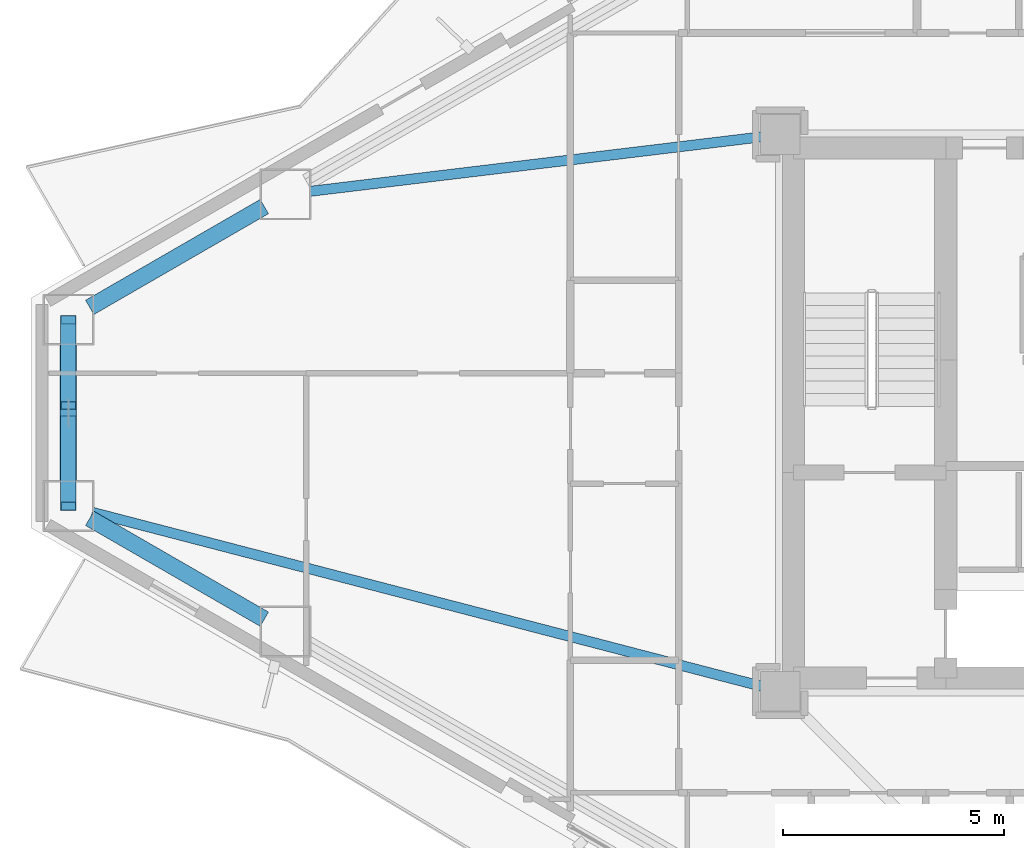
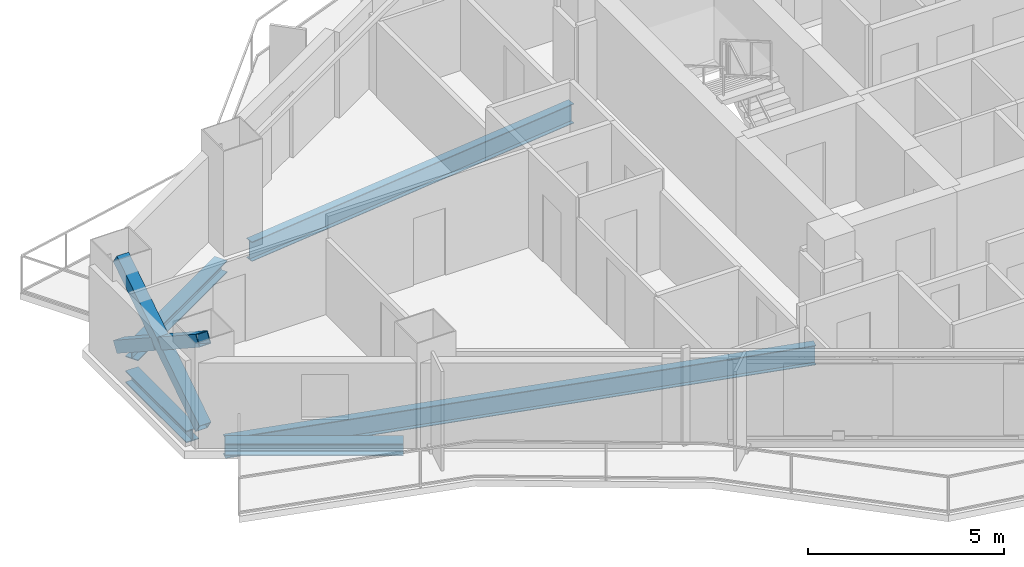
# One storey, part 5 of 23: 5 beams, 3 members.
"""IFC4 building model written with IfcOpenShell, lengths in metres."""

from ifc_helpers import new_model, si_unit, direction, frame, origin, origin_2d, place, context, subcontext, project, spatial, hollow_rectangle, i_section, extrude, material, material_profile, profile_set, type_object, element, save


model = new_model("IFC4")

# Units and contexts
model_context = context("Model", 3, precision=1e-05, world=origin(), true_north=direction((0.0, 1.0)))
body_context = subcontext(model_context, "Body", "Model", "MODEL_VIEW")
ifc_project = project(units=[si_unit("LENGTHUNIT", "METRE"), si_unit("AREAUNIT", "SQUARE_METRE"), si_unit("VOLUMEUNIT", "CUBIC_METRE"), si_unit("PLANEANGLEUNIT", "RADIAN"), si_unit("MASSUNIT", "GRAM", prefix="KILO")], contexts=[model_context])

# Site, building, storey
site_placement = place(None, origin())
site = spatial("IfcSite", under=ifc_project, at=site_placement, CompositionType="ELEMENT")
building_placement = place(site_placement, origin())
building = spatial("IfcBuilding", under=site, at=building_placement, Name="Mersakhor Tower and Convention Hall", CompositionType="ELEMENT")
storey_placement = place(building_placement, frame((0.0, 0.0, 73.5)))
storey = spatial("IfcBuildingStorey", under=building, at=storey_placement, Name="L19", CompositionType="ELEMENT", Elevation=73.5)

# Beams
ifc_material_1 = material(Name="Steel S355", Category="steel")
ifc_material_profile_1 = material_profile(ifc_material_1, i_section(OverallWidth=0.22900390625, OverallDepth=0.6123046875, WebThickness=0.011962890625, FlangeThickness=0.01953125, at=origin_2d()), Name="UB 610x229x125")
ifc_profile_set_1 = profile_set([ifc_material_profile_1], Name="Steel S355")
beam_type_1 = type_object("IfcBeamType", Name="BM-PR-610", PredefinedType="BEAM", material=ifc_profile_set_1)
beam_1_placement = place(storey_placement, frame((21.47314453125, 32.99853515625, -0.55615234375), z_axis=(-0.992798628585, -0.119795171356, 0.0), x_axis=(0.119795171356, -0.992798628585, 0.0)))
element("IfcBeam", 1, at=beam_1_placement, inside=storey, type_object=beam_type_1, Name="L19 Primary Floor Girder FG-1", PredefinedType="BEAM", context=body_context, shape_type="SweptSolid", body=[
    extrude(i_section(OverallWidth=0.22900390625, OverallDepth=0.6123046875, WebThickness=0.011962890625, FlangeThickness=0.01953125, at=origin_2d()), origin(), (0.0, 0.0, 1.0), 10.2939453125),
])
beam_2_placement = place(storey_placement, frame((21.48388671875, 20.55810546875, -0.55615234375), z_axis=(-0.967826150614, 0.251619836632, 0.0), x_axis=(-0.251619836632, -0.967826150614, 0.0)))
element("IfcBeam", 2, at=beam_2_placement, inside=storey, type_object=beam_type_1, Name="L19 Primary Floor Girder FG-6", PredefinedType="BEAM", context=body_context, shape_type="SweptSolid", body=[
    extrude(i_section(OverallWidth=0.22900390625, OverallDepth=0.6123046875, WebThickness=0.011962890625, FlangeThickness=0.01953125, at=origin_2d()), origin(), (0.0, 0.0, 1.0), 15.6640625),
])
ifc_material_2 = material(Name="Steel S355", Category="steel")
ifc_material_profile_2 = material_profile(ifc_material_2, i_section(OverallWidth=0.374755859375, OverallDepth=0.37451171875, WebThickness=0.0166015625, FlangeThickness=0.027099609375, at=origin_2d()), Name="UC 356x368x202")
ifc_profile_set_2 = profile_set([ifc_material_profile_2], Name="Steel S355")
beam_type_2 = type_object("IfcBeamType", Name="BM-SPD-UC356", PredefinedType="SPANDREL", material=ifc_profile_set_2)
for number, where, z_axis, x_axis, name in (
    (3, (6.267333984375, 29.13818359375, -0.437255859375), (0.866023543838, 0.500003221507, 0.0), (-0.500003221507, 0.866023543838, 0.0), "L19 Perimeter Spandrel Beam SPB-01"),
    (4, (10.221923828125, 22.07861328125, -0.437255859375), (-0.866023543838, 0.500003221507, 0.0), (-0.500003221507, -0.866023543838, 0.0), "L19 Perimeter Spandrel Beam SPB-11"),
):
    element("IfcBeam", number, at=place(storey_placement, frame(where, z_axis=z_axis, x_axis=x_axis)), inside=storey, type_object=beam_type_2, Name=name, PredefinedType="SPANDREL", context=body_context, shape_type="SweptSolid", body=[
        extrude(i_section(OverallWidth=0.374755859375, OverallDepth=0.37451171875, WebThickness=0.0166015625, FlangeThickness=0.027099609375, at=origin_2d()), origin(), (0.0, 0.0, 1.0), 4.56640625),
    ])
beam_3_placement = place(storey_placement, frame((5.78662109375, 25.194091796875, -0.437255859375), z_axis=(0.0, 1.0, 0.0), x_axis=(-1.0, 0.0, 0.0)))
element("IfcBeam", 5, at=beam_3_placement, inside=storey, type_object=beam_type_2, Name="L19 Perimeter Spandrel Beam SPB-12", PredefinedType="SPANDREL", context=body_context, shape_type="SweptSolid", body=[
    extrude(i_section(OverallWidth=0.374755859375, OverallDepth=0.37451171875, WebThickness=0.0166015625, FlangeThickness=0.027099609375, at=origin_2d()), origin(), (0.0, 0.0, 1.0), 3.11181640625),
])

# Members
ifc_material_3 = material(Name="Steel S460", Category="steel")
ifc_material_profile_3 = material_profile(ifc_material_3, hollow_rectangle(XDim=0.35009765625, YDim=0.35009765625, WallThickness=0.02001953125, at=origin_2d()), Name="SHS 350x350x20")
ifc_profile_set_3 = profile_set([ifc_material_profile_3], Name="Steel S460")
member_type = type_object("IfcMemberType", Name="MB-BRC-SHS350", PredefinedType="BRACE", material=ifc_profile_set_3)
member_1_placement = place(storey_placement, frame((5.78662109375, 24.63916015625, 0.14990234375), z_axis=(0.0, 0.837907380789, 0.54581244143), x_axis=(-1.0, 0.0, 0.0)))
element("IfcMember", 6, at=member_1_placement, inside=storey, type_object=member_type, Name="L19 Chamfer Braced Frame Diagonal CB-3A", PredefinedType="BRACE", context=body_context, shape_type="SweptSolid", body=[
    extrude(hollow_rectangle(XDim=0.35009765625, YDim=0.35009765625, WallThickness=0.02001953125, at=origin_2d()), origin(), (0.0, 0.0, 1.0), 5.038330078125),
])
member_2_placement = place(storey_placement, frame((5.78662109375, 28.86083984375, 0.14990234375), z_axis=(0.0, -0.83788056026, 0.54585361292), x_axis=(1.0, 0.0, 0.0)))
element("IfcMember", 7, at=member_2_placement, inside=storey, type_object=member_type, Name="L19 Chamfer Braced Frame Diagonal CB-3B Lower Half", PredefinedType="BRACE", context=body_context, shape_type="SweptSolid", body=[
    extrude(hollow_rectangle(XDim=0.35009765625, YDim=0.35009765625, WallThickness=0.02001953125, at=origin_2d()), origin(), (0.0, 0.0, 1.0), 2.320068359375),
])
member_3_placement = place(storey_placement, frame((5.78662109375, 26.5830078125, 1.6337890625), z_axis=(0.0, -0.837928690032, 0.545779727016), x_axis=(1.0, 0.0, 0.0)))
element("IfcMember", 8, at=member_3_placement, inside=storey, type_object=member_type, Name="L19 Chamfer Braced Frame Diagonal CB-3B Upper Half", PredefinedType="BRACE", context=body_context, shape_type="SweptSolid", body=[
    extrude(hollow_rectangle(XDim=0.35009765625, YDim=0.35009765625, WallThickness=0.02001953125, at=origin_2d()), origin(), (0.0, 0.0, 1.0), 2.31982421875),
])

save(model, "model.ifc")
